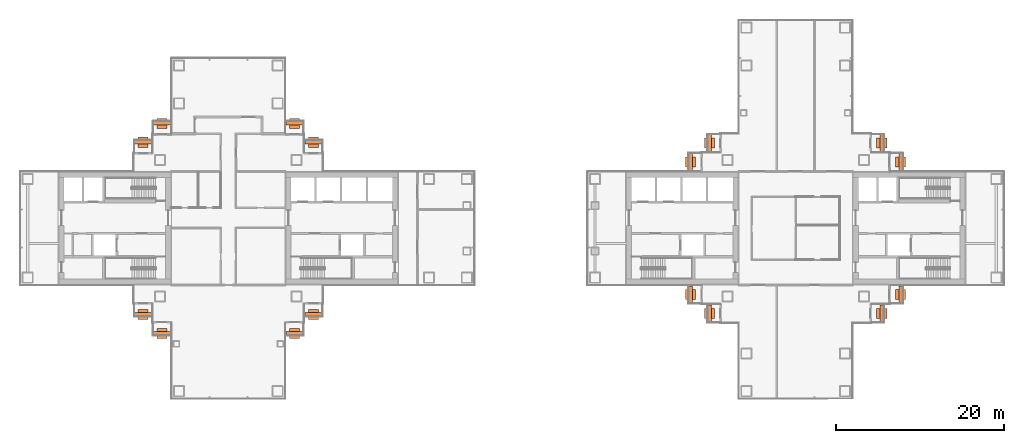
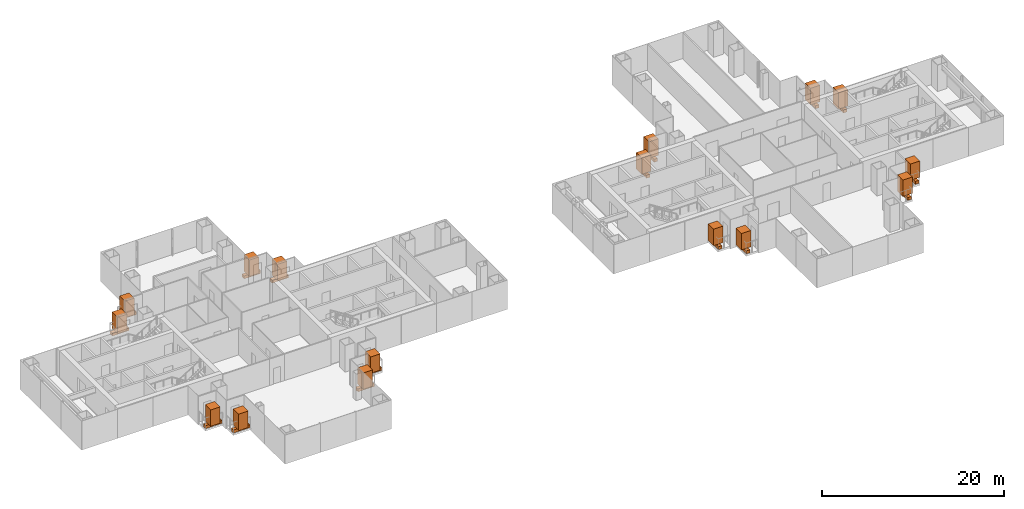
# One storey, part 20 of 20: 16 geographic elements, 16 proxies.
"""IFC4 building model written with IfcOpenShell, lengths in metres."""

from ifc_helpers import new_model, si_unit, direction, frame, origin, origin_2d, place, context, subcontext, project, spatial, rectangle, extrude, material, type_object, element, save


model = new_model("IFC4")

# Units and contexts
model_context = context("Model", 3, precision=1e-05, world=origin(), true_north=direction((0.0, 1.0)))
body_context = subcontext(model_context, "Body", "Model", "MODEL_VIEW")
ifc_project = project(units=[si_unit("LENGTHUNIT", "METRE"), si_unit("AREAUNIT", "SQUARE_METRE"), si_unit("VOLUMEUNIT", "CUBIC_METRE"), si_unit("PLANEANGLEUNIT", "RADIAN"), si_unit("MASSUNIT", "GRAM", prefix="KILO")], contexts=[model_context])

# Site, building, storey
site_placement = place(None, origin())
site = spatial("IfcSite", under=ifc_project, at=site_placement, CompositionType="ELEMENT")
building_placement = place(site_placement, origin())
building = spatial("IfcBuilding", under=site, at=building_placement, Name="Shamsa Quay Exchange Towers", CompositionType="ELEMENT")
storey_placement = place(building_placement, frame((0.0, 0.0, 120.89990234375)))
storey = spatial("IfcBuildingStorey", under=building, at=storey_placement, Name="L28", CompositionType="ELEMENT", Elevation=120.89990234375)

# Proxies
ifc_material_1 = material(Name="Reinforced concrete C30/37, black glass-fibre faced", Category="concrete")
building_element_proxy_type = type_object("IfcBuildingElementProxyType", Name="BALCONY PLANTER", PredefinedType="USERDEFINED", material=ifc_material_1)
for number, where, z_axis, x_axis, name in (
    (1, (-23.60595703125, 10.2451171875, 0.000244140625), (0.0, 0.0, 1.0), (-1.0, 0.0, 0.0), "PLANTER T1-PKEN L28"),
    (2, (-25.85595703125, 12.4951171875, 0.000244140625), (0.0, 0.0, 1.0), (-1.0, 0.0, 0.0), "PLANTER T1-PKEN L28"),
):
    element("IfcBuildingElementProxy", number, at=place(storey_placement, frame(where, z_axis=z_axis, x_axis=x_axis)), inside=storey, type_object=building_element_proxy_type, Name=name, ObjectType="PLANTER", PredefinedType="USERDEFINED", context=body_context, shape_type="SweptSolid", body=[
        extrude(rectangle(XDim=2.092041015625, YDim=0.449951171875, at=origin_2d()), origin(), (0.0, 0.0, 1.0), 0.39990234375),
    ])
for number, where, name in (
    (3, (-23.60595703125, -10.2451171875, 0.000244140625), "PLANTER T1-PKES L28"),
    (4, (-25.85595703125, -12.4951171875, 0.000244140625), "PLANTER T1-PKES L28"),
):
    element("IfcBuildingElementProxy", number, at=place(storey_placement, frame(where)), inside=storey, type_object=building_element_proxy_type, Name=name, ObjectType="PLANTER", PredefinedType="USERDEFINED", context=body_context, shape_type="SweptSolid", body=[
        extrude(rectangle(XDim=2.092041015625, YDim=0.449951171875, at=origin_2d()), origin(), (0.0, 0.0, 1.0), 0.39990234375),
    ])
for number, where, z_axis, x_axis, name in (
    (5, (-41.64404296875, 12.4951171875, 0.000244140625), (0.0, 0.0, 1.0), (-1.0, 0.0, 0.0), "PLANTER T1-PKWN L28"),
    (6, (-43.89404296875, 10.2451171875, 0.000244140625), (0.0, 0.0, 1.0), (-1.0, 0.0, 0.0), "PLANTER T1-PKWN L28"),
):
    element("IfcBuildingElementProxy", number, at=place(storey_placement, frame(where, z_axis=z_axis, x_axis=x_axis)), inside=storey, type_object=building_element_proxy_type, Name=name, ObjectType="PLANTER", PredefinedType="USERDEFINED", context=body_context, shape_type="SweptSolid", body=[
        extrude(rectangle(XDim=2.092041015625, YDim=0.449951171875, at=origin_2d()), origin(), (0.0, 0.0, 1.0), 0.39990234375),
    ])
for number, where, name in (
    (7, (-43.89404296875, -10.2451171875, 0.000244140625), "PLANTER T1-PKWS L28"),
    (8, (-41.64404296875, -12.4951171875, 0.000244140625), "PLANTER T1-PKWS L28"),
):
    element("IfcBuildingElementProxy", number, at=place(storey_placement, frame(where)), inside=storey, type_object=building_element_proxy_type, Name=name, ObjectType="PLANTER", PredefinedType="USERDEFINED", context=body_context, shape_type="SweptSolid", body=[
        extrude(rectangle(XDim=2.092041015625, YDim=0.449951171875, at=origin_2d()), origin(), (0.0, 0.0, 1.0), 0.39990234375),
    ])
for number, where, z_axis, x_axis, name in (
    (9, (23.5048828125, 10.14404296875, 0.000244140625), (0.0, 0.0, 1.0), (0.0, -1.0, 0.0), "PLANTER T2-PKEN L28"),
    (10, (21.2548828125, 7.89404296875, 0.000244140625), (0.0, 0.0, 1.0), (0.0, -1.0, 0.0), "PLANTER T2-PKEN L28"),
    (11, (43.9951171875, 10.14404296875, 0.000244140625), (0.0, 0.0, 1.0), (0.0, 1.0, 0.0), "PLANTER T2-PKES L28"),
    (12, (46.2451171875, 7.89404296875, 0.000244140625), (0.0, 0.0, 1.0), (0.0, 1.0, 0.0), "PLANTER T2-PKES L28"),
    (13, (21.2548828125, -7.89404296875, 0.000244140625), (0.0, 0.0, 1.0), (0.0, -1.0, 0.0), "PLANTER T2-PKWN L28"),
    (14, (23.5048828125, -10.14404296875, 0.000244140625), (0.0, 0.0, 1.0), (0.0, -1.0, 0.0), "PLANTER T2-PKWN L28"),
    (15, (43.9951171875, -10.14404296875, 0.000244140625), (0.0, 0.0, 1.0), (0.0, 1.0, 0.0), "PLANTER T2-PKWS L28"),
    (16, (46.2451171875, -7.89404296875, 0.000244140625), (0.0, 0.0, 1.0), (0.0, 1.0, 0.0), "PLANTER T2-PKWS L28"),
):
    element("IfcBuildingElementProxy", number, at=place(storey_placement, frame(where, z_axis=z_axis, x_axis=x_axis)), inside=storey, type_object=building_element_proxy_type, Name=name, ObjectType="PLANTER", PredefinedType="USERDEFINED", context=body_context, shape_type="SweptSolid", body=[
        extrude(rectangle(XDim=2.092041015625, YDim=0.449951171875, at=origin_2d()), origin(), (0.0, 0.0, 1.0), 0.39990234375),
    ])

# Geographic elements
ifc_material_2 = material(Name="Planting")
geographic_element_type = type_object("IfcGeographicElementType", Name="BALCONY TREE", PredefinedType="USERDEFINED", material=ifc_material_2)
for number, where, z_axis, x_axis, name in (
    (17, (-23.60595703125, 10.2451171875, 0.39990234375), (0.0, 0.0, 1.0), (-1.0, 0.0, 0.0), "TREE T1-PKEN L28"),
    (18, (-25.85595703125, 12.4951171875, 0.39990234375), (0.0, 0.0, 1.0), (-1.0, 0.0, 0.0), "TREE T1-PKEN L28"),
):
    element("IfcGeographicElement", number, at=place(storey_placement, frame(where, z_axis=z_axis, x_axis=x_axis)), inside=storey, type_object=geographic_element_type, Name=name, ObjectType="TREE", PredefinedType="USERDEFINED", context=body_context, shape_type="SweptSolid", body=[
        extrude(rectangle(XDim=1.199951171875, YDim=1.199951171875, at=origin_2d()), origin(), (0.0, 0.0, 1.0), 2.199951171875),
    ])
for number, where, name in (
    (19, (-23.60595703125, -10.2451171875, 0.39990234375), "TREE T1-PKES L28"),
    (20, (-25.85595703125, -12.4951171875, 0.39990234375), "TREE T1-PKES L28"),
):
    element("IfcGeographicElement", number, at=place(storey_placement, frame(where)), inside=storey, type_object=geographic_element_type, Name=name, ObjectType="TREE", PredefinedType="USERDEFINED", context=body_context, shape_type="SweptSolid", body=[
        extrude(rectangle(XDim=1.199951171875, YDim=1.199951171875, at=origin_2d()), origin(), (0.0, 0.0, 1.0), 2.199951171875),
    ])
for number, where, z_axis, x_axis, name in (
    (21, (-41.64404296875, 12.4951171875, 0.39990234375), (0.0, 0.0, 1.0), (-1.0, 0.0, 0.0), "TREE T1-PKWN L28"),
    (22, (-43.89404296875, 10.2451171875, 0.39990234375), (0.0, 0.0, 1.0), (-1.0, 0.0, 0.0), "TREE T1-PKWN L28"),
):
    element("IfcGeographicElement", number, at=place(storey_placement, frame(where, z_axis=z_axis, x_axis=x_axis)), inside=storey, type_object=geographic_element_type, Name=name, ObjectType="TREE", PredefinedType="USERDEFINED", context=body_context, shape_type="SweptSolid", body=[
        extrude(rectangle(XDim=1.199951171875, YDim=1.199951171875, at=origin_2d()), origin(), (0.0, 0.0, 1.0), 2.199951171875),
    ])
for number, where, name in (
    (23, (-43.89404296875, -10.2451171875, 0.39990234375), "TREE T1-PKWS L28"),
    (24, (-41.64404296875, -12.4951171875, 0.39990234375), "TREE T1-PKWS L28"),
):
    element("IfcGeographicElement", number, at=place(storey_placement, frame(where)), inside=storey, type_object=geographic_element_type, Name=name, ObjectType="TREE", PredefinedType="USERDEFINED", context=body_context, shape_type="SweptSolid", body=[
        extrude(rectangle(XDim=1.199951171875, YDim=1.199951171875, at=origin_2d()), origin(), (0.0, 0.0, 1.0), 2.199951171875),
    ])
for number, where, z_axis, x_axis, name in (
    (25, (23.5048828125, 10.14404296875, 0.39990234375), (0.0, 0.0, 1.0), (0.0, -1.0, 0.0), "TREE T2-PKEN L28"),
    (26, (21.2548828125, 7.89404296875, 0.39990234375), (0.0, 0.0, 1.0), (0.0, -1.0, 0.0), "TREE T2-PKEN L28"),
    (27, (43.9951171875, 10.14404296875, 0.39990234375), (0.0, 0.0, 1.0), (0.0, 1.0, 0.0), "TREE T2-PKES L28"),
    (28, (46.2451171875, 7.89404296875, 0.39990234375), (0.0, 0.0, 1.0), (0.0, 1.0, 0.0), "TREE T2-PKES L28"),
    (29, (21.2548828125, -7.89404296875, 0.39990234375), (0.0, 0.0, 1.0), (0.0, -1.0, 0.0), "TREE T2-PKWN L28"),
    (30, (23.5048828125, -10.14404296875, 0.39990234375), (0.0, 0.0, 1.0), (0.0, -1.0, 0.0), "TREE T2-PKWN L28"),
    (31, (43.9951171875, -10.14404296875, 0.39990234375), (0.0, 0.0, 1.0), (0.0, 1.0, 0.0), "TREE T2-PKWS L28"),
    (32, (46.2451171875, -7.89404296875, 0.39990234375), (0.0, 0.0, 1.0), (0.0, 1.0, 0.0), "TREE T2-PKWS L28"),
):
    element("IfcGeographicElement", number, at=place(storey_placement, frame(where, z_axis=z_axis, x_axis=x_axis)), inside=storey, type_object=geographic_element_type, Name=name, ObjectType="TREE", PredefinedType="USERDEFINED", context=body_context, shape_type="SweptSolid", body=[
        extrude(rectangle(XDim=1.199951171875, YDim=1.199951171875, at=origin_2d()), origin(), (0.0, 0.0, 1.0), 2.199951171875),
    ])

save(model, "model.ifc")
